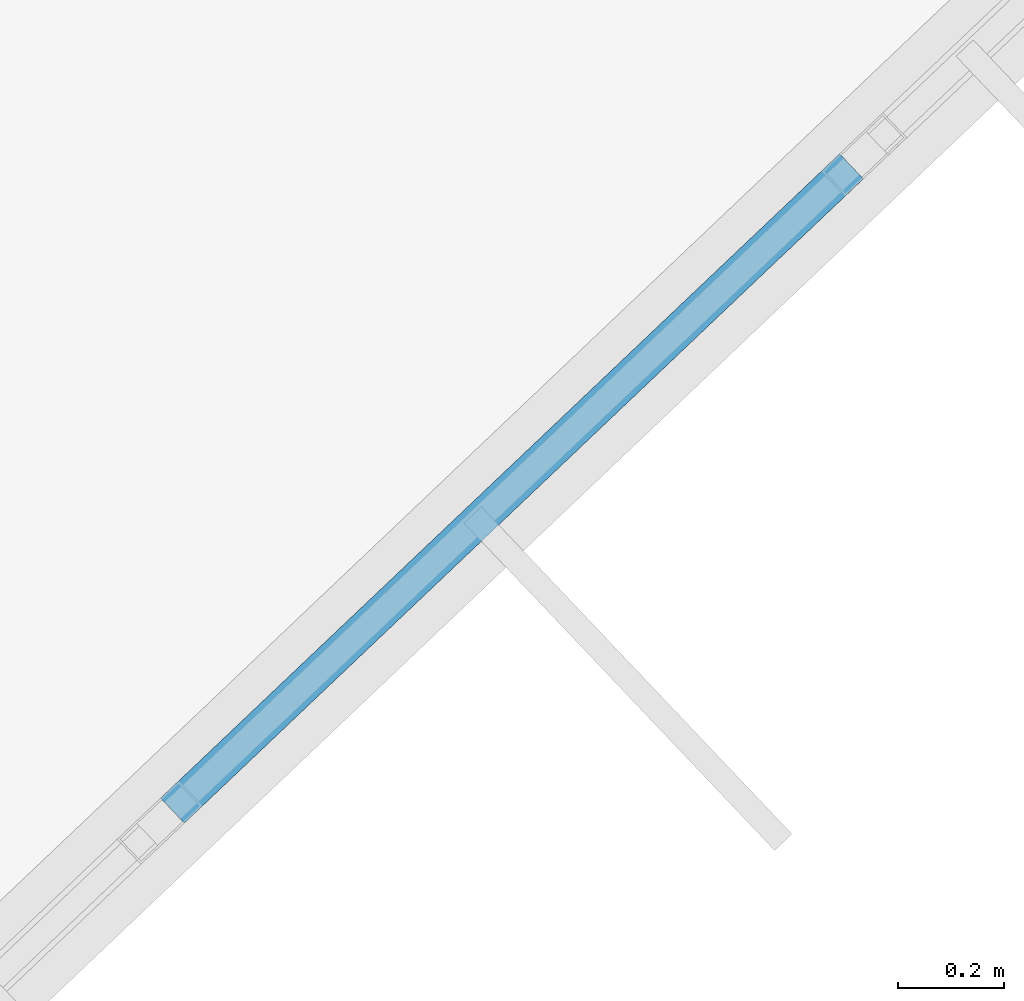
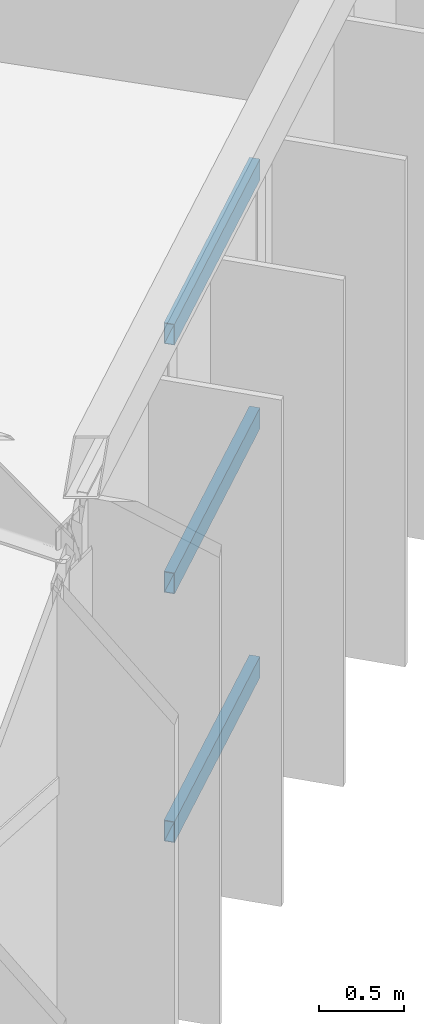
# One storey, part 43 of 130: 3 members, 1 element without a shape of its own.
"""IFC4 building model written with IfcOpenShell, lengths in metres."""

from ifc_helpers import new_model, si_unit, direction, frame, origin, origin_2d, place, context, subcontext, project, spatial, hollow_rectangle, extrude, material, material_profile, profile_set, type_object, element, aggregate, save


model = new_model("IFC4")

# Units and contexts
model_context = context("Model", 3, precision=1e-05, world=origin(), true_north=direction((0.0, 1.0)))
body_context = subcontext(model_context, "Body", "Model", "MODEL_VIEW")
ifc_project = project(units=[si_unit("LENGTHUNIT", "METRE"), si_unit("AREAUNIT", "SQUARE_METRE"), si_unit("VOLUMEUNIT", "CUBIC_METRE"), si_unit("PLANEANGLEUNIT", "RADIAN"), si_unit("MASSUNIT", "GRAM", prefix="KILO")], contexts=[model_context])

# Site, building, storey
site_placement = place(None, origin())
site = spatial("IfcSite", under=ifc_project, at=site_placement, CompositionType="ELEMENT")
building_placement = place(site_placement, origin())
building = spatial("IfcBuilding", under=site, at=building_placement, Name="Karori Crest Natural Sciences Institute", CompositionType="ELEMENT")
storey_placement = place(building_placement, frame((0.0, 0.0, 17.5)))
storey = spatial("IfcBuildingStorey", under=building, at=storey_placement, Name="L04", CompositionType="ELEMENT", Elevation=17.5)

# Curtain wall, members
ifc_material = material(Name="Anodised architectural aluminium 6063-T6", Category="aluminium")
curtain_wall_type = type_object("IfcCurtainWallType", Name="CWT-01", PredefinedType="NOTDEFINED", material=ifc_material)
curtain_wall_placement = place(storey_placement, origin())
curtain_wall = element("IfcCurtainWall", 1, at=curtain_wall_placement, inside=storey, type_object=curtain_wall_type, Name="Curtain wall CW-0166", PredefinedType="NOTDEFINED")
ifc_material_profile = material_profile(ifc_material, hollow_rectangle(XDim=0.06494140625, YDim=0.14990234375, WallThickness=0.00390625, at=origin_2d()), Name="CWT150x65x4")
ifc_profile_set = profile_set([ifc_material_profile], Name="Anodised architectural aluminium 6063-T6")
member_type = type_object("IfcMemberType", Name="CWT-TR2", PredefinedType="USERDEFINED", material=ifc_profile_set)
member_1_placement = place(storey_placement, frame((85.60498046875, 17.13232421875, 0.032470703125), z_axis=(-0.725483196334, -0.688239879575, 0.0), x_axis=(0.688239879575, -0.725483196334, 0.0)))
member_1 = element("IfcMember", 2, at=member_1_placement, type_object=member_type, Name="CW-0166 transom 4.1", ObjectType="TRANSOM", PredefinedType="USERDEFINED", context=body_context, shape_type="SweptSolid", body=[
    extrude(hollow_rectangle(XDim=0.06494140625, YDim=0.14990234375, WallThickness=0.00390625, at=origin_2d()), origin(), (0.0, 0.0, 1.0), 1.763427734375),
])
member_2_placement = place(storey_placement, frame((85.60498046875, 17.13232421875, 1.8125), z_axis=(-0.725483196334, -0.688239879575, 0.0), x_axis=(0.688239879575, -0.725483196334, 0.0)))
member_2 = element("IfcMember", 3, at=member_2_placement, type_object=member_type, Name="CW-0166 transom 4.2", ObjectType="TRANSOM", PredefinedType="USERDEFINED", context=body_context, shape_type="SweptSolid", body=[
    extrude(hollow_rectangle(XDim=0.06494140625, YDim=0.14990234375, WallThickness=0.00390625, at=origin_2d()), origin(), (0.0, 0.0, 1.0), 1.763427734375),
])
member_3_placement = place(storey_placement, frame((85.60498046875, 17.13232421875, 3.592529296875), z_axis=(-0.725483196334, -0.688239879575, 0.0), x_axis=(0.688239879575, -0.725483196334, 0.0)))
member_3 = element("IfcMember", 4, at=member_3_placement, type_object=member_type, Name="CW-0166 transom 4.3", ObjectType="TRANSOM", PredefinedType="USERDEFINED", context=body_context, shape_type="SweptSolid", body=[
    extrude(hollow_rectangle(XDim=0.06494140625, YDim=0.14990234375, WallThickness=0.00390625, at=origin_2d()), origin(), (0.0, 0.0, 1.0), 1.763427734375),
])
aggregate(curtain_wall, [member_1, member_2, member_3])

save(model, "model.ifc")
